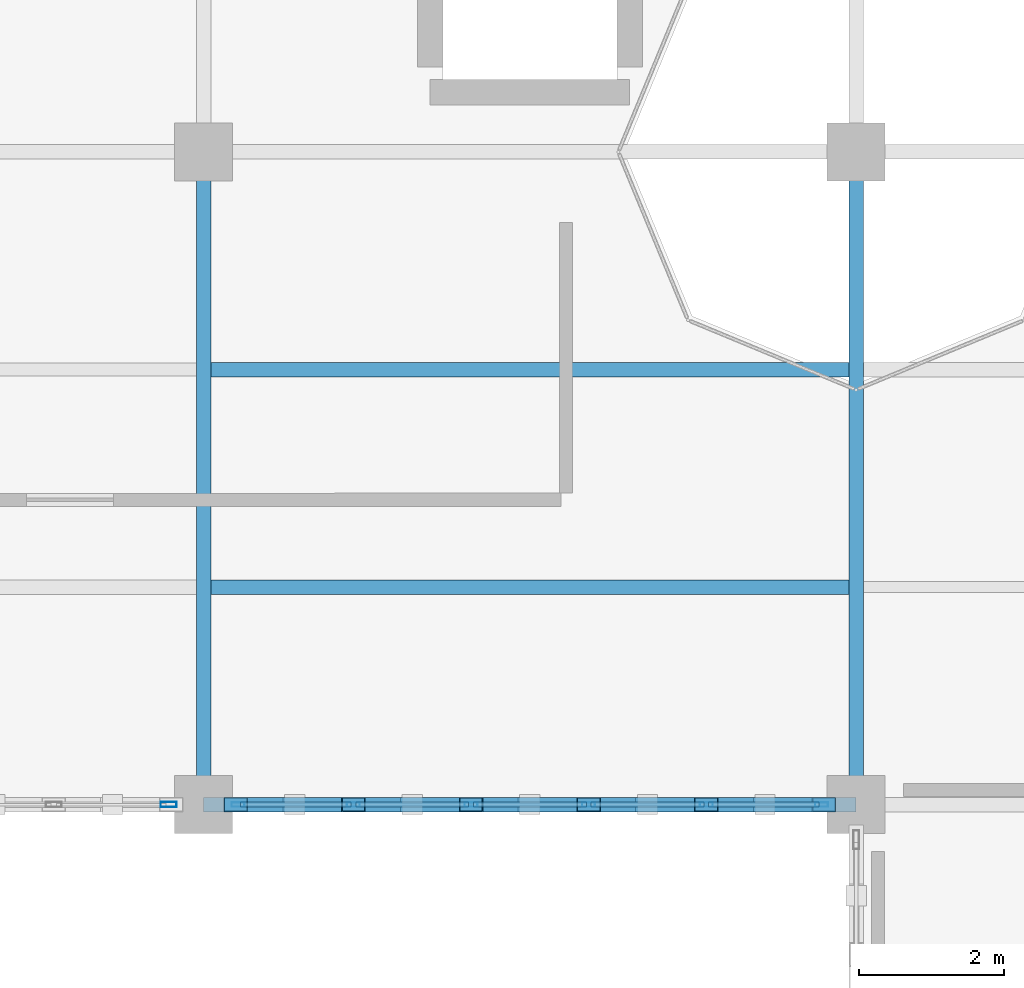
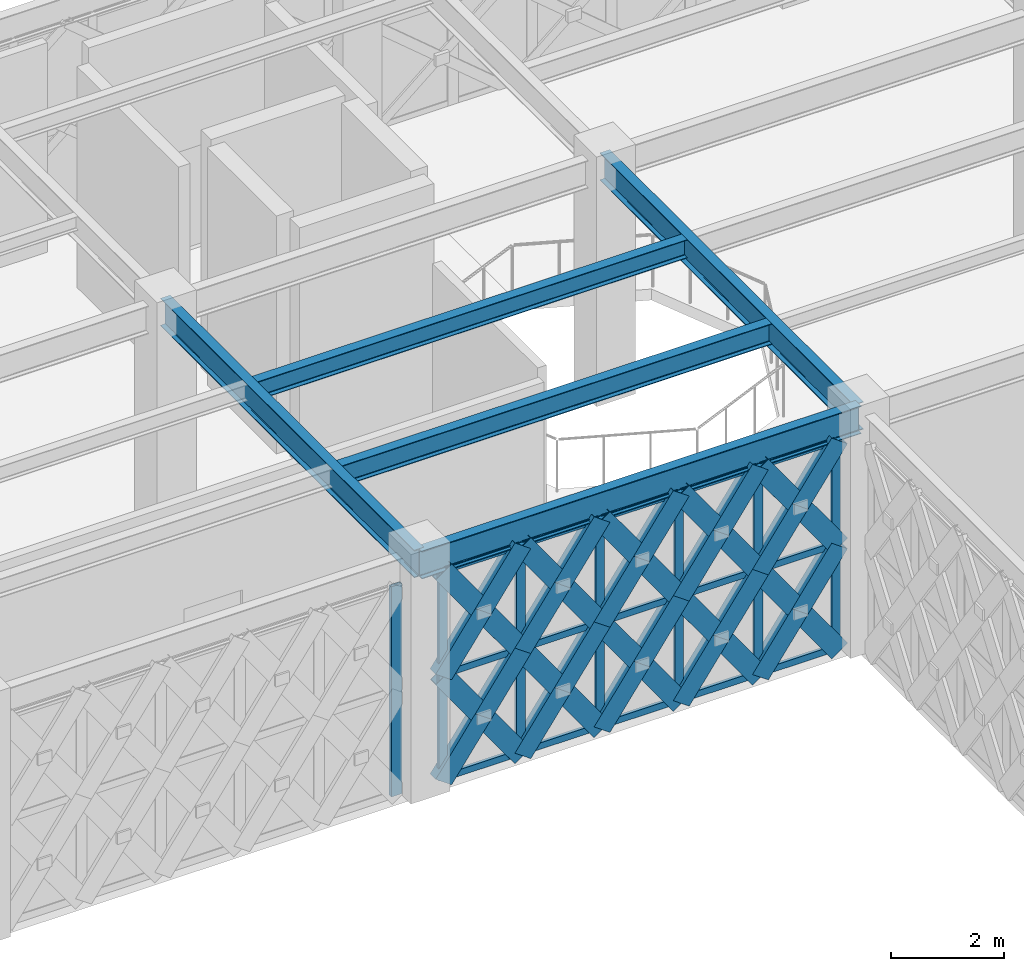
# One storey, part 8 of 86: 52 members, 5 beams, 2 elements without a shape of their own.
"""IFC4 building model written with IfcOpenShell, lengths in metres."""

import ifcopenshell
import ifcopenshell.guid

model = None  # the IFC model being written
_history = None  # IfcOwnerHistory: only IFC2X3 demands one
_inside = {}  # id of a spatial element -> (the spatial element, [elements in it])
_under = {}  # id of a project, library or spatial element -> (it, [spatial elements below it])
_declared = {}  # id of a project -> (the project, [libraries it declares])
_typed = {}  # id of a type object -> (the type object, [elements of that type])
_made_of = {}  # id of a material, layer set ... -> (it, [elements and type objects made of it])


def new_model(schema):
    """Start an empty IFC model of exactly this schema.

    Asked for "IFC4X3", IfcOpenShell would pick the latest addendum, in which some entities
    have other attributes; the version numbers below select the first issue.
    IFC2X3 requires an IfcOwnerHistory on every rooted entity: one is made here for all.
    """
    global model, _history
    if schema == "IFC4X3":
        model = ifcopenshell.file(schema_version=(4, 3, 0, 0))
    else:
        model = ifcopenshell.file(schema=schema)
    _inside.clear()
    _under.clear()
    _declared.clear()
    _typed.clear()
    _made_of.clear()
    _history = None
    if model.schema == "IFC2X3":
        org = make("IfcOrganization", Name="unknown")
        user = make(
            "IfcPersonAndOrganization",
            ThePerson=make("IfcPerson", FamilyName="unknown"),
            TheOrganization=org,
        )
        app = make(
            "IfcApplication",
            ApplicationDeveloper=org,
            Version="unknown",
            ApplicationFullName="unknown",
            ApplicationIdentifier="unknown",
        )
        _history = make(
            "IfcOwnerHistory",
            OwningUser=user,
            OwningApplication=app,
            ChangeAction="ADDED",
            CreationDate=0,
        )
    return model


def make(cls, **values):
    """One entity of the class cls with the attributes given. An attribute that is None is left unset."""
    return model.create_entity(
        cls, **{name: value for name, value in values.items() if value is not None}
    )


def rooted(cls, **values):
    """An entity with a GlobalId (a new one), such as an element, a storey or a relation."""
    return make(cls, GlobalId=ifcopenshell.guid.new(), OwnerHistory=_history, **values)


def si_unit(unit_type, name, prefix=None):
    """IfcSIUnit, for example si_unit("LENGTHUNIT", "METRE", prefix="MILLI")."""
    return make("IfcSIUnit", UnitType=unit_type, Prefix=prefix, Name=name)


def assignment(units):
    """IfcUnitAssignment: the units of a project."""
    return None if units is None else make("IfcUnitAssignment", Units=units)


def point(xyz):
    """IfcCartesianPoint."""
    return None if xyz is None else make("IfcCartesianPoint", Coordinates=xyz)


def direction(xyz):
    """IfcDirection."""
    return None if xyz is None else make("IfcDirection", DirectionRatios=xyz)


def frame(location, z_axis=None, x_axis=None):
    """IfcAxis2Placement3D, a coordinate frame: its origin and axes. An axis left out is left unset."""
    return make(
        "IfcAxis2Placement3D",
        Location=point(location),
        Axis=direction(z_axis),
        RefDirection=direction(x_axis),
    )


def frame_2d(location, x_axis=None):
    """IfcAxis2Placement2D, a coordinate frame in the plane: its origin and x axis."""
    return make(
        "IfcAxis2Placement2D", Location=point(location), RefDirection=direction(x_axis)
    )


def origin():
    """The frame at (0, 0, 0) with its axes left unset."""
    return frame((0.0, 0.0, 0.0))


def origin_2d():
    """The frame at (0, 0) in the plane with its x axis left unset."""
    return frame_2d((0.0, 0.0))


def place(relative_to, where):
    """IfcLocalPlacement: puts the frame where relative to a parent placement (None: the world)."""
    return make(
        "IfcLocalPlacement", PlacementRelTo=relative_to, RelativePlacement=where
    )


def context(
    kind, dimensions, precision=None, world=None, true_north=None, identifier=None
):
    """IfcGeometricRepresentationContext, for example the 3D "Model" context."""
    return make(
        "IfcGeometricRepresentationContext",
        ContextIdentifier=identifier,
        ContextType=kind,
        CoordinateSpaceDimension=dimensions,
        Precision=precision,
        WorldCoordinateSystem=world,
        TrueNorth=true_north,
    )


def subcontext(parent, identifier, kind, view, scale=None):
    """IfcGeometricRepresentationSubContext, for example "Body" below "Model"."""
    return make(
        "IfcGeometricRepresentationSubContext",
        ContextIdentifier=identifier,
        ContextType=kind,
        ParentContext=parent,
        TargetScale=scale,
        TargetView=view,
    )


def project(units=None, contexts=None):
    """IfcProject with its units and contexts."""
    return rooted(
        "IfcProject",
        Name="project",
        RepresentationContexts=contexts,
        UnitsInContext=assignment(units),
    )


def spatial(cls, under=None, at=None, **own):
    """A site, building, storey or space (cls), placed at a placement, below another one or the project."""
    s = rooted(cls, ObjectPlacement=at, **own)
    if under is not None:
        _under.setdefault(under.id(), (under, []))[1].append(s)
    return s


def profile(cls, at=None, kind="AREA", **sizes):
    """A parametric profile (cls). Its sizes go by their IFC names, for example OverallWidth=200.0."""
    return make(cls, ProfileType=kind, Position=at, **sizes)


def hollow_rectangle(**sizes):
    """IfcRectangleHollowProfileDef."""
    return profile("IfcRectangleHollowProfileDef", **sizes)


def i_section(**sizes):
    """IfcIShapeProfileDef."""
    return profile("IfcIShapeProfileDef", **sizes)


def extrude(swept, where, along, depth):
    """IfcExtrudedAreaSolid: the profile swept, set in the frame where, extruded along a direction by depth."""
    return make(
        "IfcExtrudedAreaSolid",
        SweptArea=swept,
        Position=where,
        ExtrudedDirection=direction(along),
        Depth=depth,
    )


def shape(context_of_items, identifier, shape_type, items):
    """IfcShapeRepresentation: the items that make up one representation, for example the "Body"."""
    return make(
        "IfcShapeRepresentation",
        ContextOfItems=context_of_items,
        RepresentationIdentifier=identifier,
        RepresentationType=shape_type,
        Items=items,
    )


def material(Name=None, Category=None):
    """IfcMaterial."""
    return make("IfcMaterial", Name=Name, Category=Category)


def material_profile(
    of_material, cross_section, Name=None, Category=None, Priority=None
):
    """IfcMaterialProfile: a cross section and its material."""
    return make(
        "IfcMaterialProfile",
        Name=Name,
        Material=of_material,
        Profile=cross_section,
        Priority=Priority,
        Category=Category,
    )


def profile_set(profiles, Name=None, composite=None):
    """IfcMaterialProfileSet."""
    return make(
        "IfcMaterialProfileSet",
        Name=Name,
        MaterialProfiles=profiles,
        CompositeProfile=composite,
    )


def made_of(thing, what):
    """Note that an element or type object is made of a material, layer set ...; save() writes the relation."""
    if what is not None:
        _made_of.setdefault(what.id(), (what, []))[1].append(thing)
    return thing


def type_object(cls, material=None, **own):
    """A type object (cls), such as IfcWallType, which elements share."""
    return made_of(rooted(cls, **own), material)


def element(
    cls,
    number,
    at=None,
    inside=None,
    cuts=None,
    type_object=None,
    material=None,
    context=None,
    identifier="Body",
    shape_type=None,
    held_by="IfcProductDefinitionShape",
    body=None,
    shapes=None,
    **own,
):
    """One element of the class cls, such as IfcWall. Its Tag is "e" and its number.

    at: its placement. inside: the storey or other place that contains it. cuts: it is an
    opening in that element (IfcRelVoidsElement). A single representation is given by context,
    identifier, shape_type and body (its items); several are given by shapes. held_by: the class
    of the entity that holds the representations. save() writes the other relations.
    """
    e = rooted(cls, Tag="e%d" % number, ObjectPlacement=at, **own)
    if body is not None:
        shapes = [shape(context, identifier, shape_type, body)]
    if shapes is not None:
        e.Representation = make(held_by, Representations=shapes)
    if inside is not None:
        _inside.setdefault(inside.id(), (inside, []))[1].append(e)
    if cuts is not None:
        rooted(
            "IfcRelVoidsElement", RelatingBuildingElement=cuts, RelatedOpeningElement=e
        )
    if type_object is not None:
        _typed.setdefault(type_object.id(), (type_object, []))[1].append(e)
    return made_of(e, material)


def aggregate(whole, parts):
    """IfcRelAggregates: a whole, such as a stair, and the parts it consists of."""
    return rooted("IfcRelAggregates", RelatingObject=whole, RelatedObjects=parts)


def save(model, path):
    """Write the relations noted so far, then the file.

    IfcRelAggregates (storeys below a building ...), IfcRelContainedInSpatialStructure (elements
    in a storey), IfcRelDefinesByType, IfcRelAssociatesMaterial and IfcRelDeclares: one each for
    every whole, place, type object, material and project.
    """
    for whole, parts in _under.values():
        aggregate(whole, parts)
    for where, things in _inside.values():
        rooted(
            "IfcRelContainedInSpatialStructure",
            RelatedElements=things,
            RelatingStructure=where,
        )
    for kind, things in _typed.values():
        rooted("IfcRelDefinesByType", RelatedObjects=things, RelatingType=kind)
    for what, things in _made_of.values():
        rooted("IfcRelAssociatesMaterial", RelatedObjects=things, RelatingMaterial=what)
    for by, libraries in _declared.values():
        rooted("IfcRelDeclares", RelatingContext=by, RelatedDefinitions=libraries)
    model.write(path)


model = new_model("IFC4")

# Units and contexts
model_context = context("Model", 3, precision=1e-05, world=origin(), true_north=direction((0.0, 1.0)))
body_context = subcontext(model_context, "Body", "Model", "MODEL_VIEW")
ifc_project = project(units=[si_unit("LENGTHUNIT", "METRE"), si_unit("AREAUNIT", "SQUARE_METRE"), si_unit("VOLUMEUNIT", "CUBIC_METRE"), si_unit("PLANEANGLEUNIT", "RADIAN"), si_unit("MASSUNIT", "GRAM", prefix="KILO")], contexts=[model_context])

# Site, building, storey
site_placement = place(None, origin())
site = spatial("IfcSite", under=ifc_project, at=site_placement, CompositionType="ELEMENT")
building_placement = place(site_placement, origin())
building = spatial("IfcBuilding", under=site, at=building_placement, Name="Haizhuo Lancet Aquarium", CompositionType="ELEMENT")
storey_placement = place(building_placement, frame((0.0, 0.0, 16.199951171875)))
storey = spatial("IfcBuildingStorey", under=building, at=storey_placement, Name="L03", CompositionType="ELEMENT", Elevation=16.199951171875)

# Beams
ifc_material_1 = material(Name="Steel S355", Category="steel")
ifc_material_profile_1 = material_profile(ifc_material_1, i_section(OverallWidth=0.199951171875, OverallDepth=0.60009765625, WebThickness=0.010986328125, FlangeThickness=0.01708984375, FilletRadius=0.02197265625, at=origin_2d()), Name="HN 600x200x11x17")
ifc_profile_set_1 = profile_set([ifc_material_profile_1], Name="Steel S355")
beam_type_1 = type_object("IfcBeamType", Name="BM-ST-HN600", PredefinedType="BEAM", material=ifc_profile_set_1)
for number, where, z_axis, x_axis, name in (
    (1, (-63.0, -27.0, 4.85009765625), (0.0, 1.0, 0.0), (-1.0, 0.0, 0.0), "L03 V6 primary girder BM-L03-V6-009"),
    (2, (-63.0, -27.0, 4.85009765625), (1.0, 0.0, 0.0), (0.0, 1.0, 0.0), "L03 V6 primary girder BM-L03-V6-010"),
    (3, (-54.0, -27.0, 4.85009765625), (0.0, 1.0, 0.0), (-1.0, 0.0, 0.0), "L03 V6 primary girder BM-L03-V6-016"),
):
    element("IfcBeam", number, at=place(storey_placement, frame(where, z_axis=z_axis, x_axis=x_axis)), inside=storey, type_object=beam_type_1, Name=name, PredefinedType="BEAM", context=body_context, shape_type="SweptSolid", body=[
        extrude(i_section(OverallWidth=0.199951171875, OverallDepth=0.60009765625, WebThickness=0.010986328125, FlangeThickness=0.01708984375, FilletRadius=0.02197265625, at=origin_2d()), origin(), (0.0, 0.0, 1.0), 9.0),
    ])

# Curtain wall, members
ifc_material_2 = material(Name="Aluminium 6063-T6", Category="aluminium")
curtain_wall_type = type_object("IfcCurtainWallType", Name="CWD-8110x4550", PredefinedType="NOTDEFINED", material=ifc_material_2)
curtain_wall_1_placement = place(storey_placement, origin())
curtain_wall_1 = element("IfcCurtainWall", 4, at=curtain_wall_1_placement, inside=storey, type_object=curtain_wall_type, Name="L03 curtain wall CW-V6-L03-241", PredefinedType="NOTDEFINED")
ifc_material_profile_2 = material_profile(ifc_material_2, hollow_rectangle(XDim=0.06494140625, YDim=0.179931640625, WallThickness=0.00390625, at=origin_2d()), Name="ALU-M 65x180x4")
ifc_profile_set_2 = profile_set([ifc_material_profile_2], Name="Aluminium 6063-T6")
member_type_1 = type_object("IfcMemberType", Name="CW-MUL-1", PredefinedType="MULLION", material=ifc_profile_set_2)
member_1_placement = place(storey_placement, frame((-54.47705078125, -27.0, 0.0), z_axis=(0.0, 0.0, 1.0), x_axis=(0.0, -1.0, 0.0)))
member_1 = element("IfcMember", 5, at=member_1_placement, type_object=member_type_1, Name="CWD-81x45 mullion 1", PredefinedType="MULLION", context=body_context, shape_type="SweptSolid", body=[
    extrude(hollow_rectangle(XDim=0.06494140625, YDim=0.179931640625, WallThickness=0.00390625, at=origin_2d()), origin(), (0.0, 0.0, 1.0), 4.550048828125),
])
member_2_placement = place(storey_placement, frame((-56.06689453125, -27.0, 0.0), z_axis=(0.0, 0.0, 1.0), x_axis=(0.0, -1.0, 0.0)))
member_2 = element("IfcMember", 6, at=member_2_placement, type_object=member_type_1, Name="CWD-81x45 mullion 2", PredefinedType="MULLION", context=body_context, shape_type="SweptSolid", body=[
    extrude(hollow_rectangle(XDim=0.06494140625, YDim=0.179931640625, WallThickness=0.00390625, at=origin_2d()), origin(), (0.0, 0.0, 1.0), 4.550048828125),
])
member_3_placement = place(storey_placement, frame((-57.68896484375, -27.0, 0.0), z_axis=(0.0, 0.0, 1.0), x_axis=(0.0, -1.0, 0.0)))
member_3 = element("IfcMember", 7, at=member_3_placement, type_object=member_type_1, Name="CWD-81x45 mullion 3", PredefinedType="MULLION", context=body_context, shape_type="SweptSolid", body=[
    extrude(hollow_rectangle(XDim=0.06494140625, YDim=0.179931640625, WallThickness=0.00390625, at=origin_2d()), origin(), (0.0, 0.0, 1.0), 4.550048828125),
])
member_4_placement = place(storey_placement, frame((-59.31103515625, -27.0, 0.0), z_axis=(0.0, 0.0, 1.0), x_axis=(0.0, -1.0, 0.0)))
member_4 = element("IfcMember", 8, at=member_4_placement, type_object=member_type_1, Name="CWD-81x45 mullion 4", PredefinedType="MULLION", context=body_context, shape_type="SweptSolid", body=[
    extrude(hollow_rectangle(XDim=0.06494140625, YDim=0.179931640625, WallThickness=0.00390625, at=origin_2d()), origin(), (0.0, 0.0, 1.0), 4.550048828125),
])
member_5_placement = place(storey_placement, frame((-60.93310546875, -27.0, 0.0), z_axis=(0.0, 0.0, 1.0), x_axis=(0.0, -1.0, 0.0)))
member_5 = element("IfcMember", 9, at=member_5_placement, type_object=member_type_1, Name="CWD-81x45 mullion 5", PredefinedType="MULLION", context=body_context, shape_type="SweptSolid", body=[
    extrude(hollow_rectangle(XDim=0.06494140625, YDim=0.179931640625, WallThickness=0.00390625, at=origin_2d()), origin(), (0.0, 0.0, 1.0), 4.550048828125),
])
member_6_placement = place(storey_placement, frame((-62.52294921875, -27.0, 0.0), z_axis=(0.0, 0.0, 1.0), x_axis=(0.0, -1.0, 0.0)))
member_6 = element("IfcMember", 10, at=member_6_placement, type_object=member_type_1, Name="CWD-81x45 mullion 6", PredefinedType="MULLION", context=body_context, shape_type="SweptSolid", body=[
    extrude(hollow_rectangle(XDim=0.06494140625, YDim=0.179931640625, WallThickness=0.00390625, at=origin_2d()), origin(), (0.0, 0.0, 1.0), 4.550048828125),
])

# Curtain wall, member
curtain_wall_2_placement = place(storey_placement, origin())
curtain_wall_2 = element("IfcCurtainWall", 11, at=curtain_wall_2_placement, inside=storey, type_object=curtain_wall_type, Name="L03 curtain wall CW-V6-L03-242", PredefinedType="NOTDEFINED")
ifc_material_profile_3 = material_profile(ifc_material_2, hollow_rectangle(XDim=0.074951171875, YDim=0.219970703125, WallThickness=0.0048828125, at=origin_2d()), Name="ALU-M 75x220x5")
ifc_profile_set_3 = profile_set([ifc_material_profile_3], Name="Aluminium 6063-T6")
member_type_2 = type_object("IfcMemberType", Name="CW-MUL-2", PredefinedType="MULLION", material=ifc_profile_set_3)
member_7_placement = place(storey_placement, frame((-63.48291015625, -27.0, 0.0), z_axis=(0.0, 0.0, 1.0), x_axis=(0.0, -1.0, 0.0)))
member_7 = element("IfcMember", 12, at=member_7_placement, type_object=member_type_2, Name="CWD-81x45 mullion 1", PredefinedType="MULLION", context=body_context, shape_type="SweptSolid", body=[
    extrude(hollow_rectangle(XDim=0.074951171875, YDim=0.219970703125, WallThickness=0.0048828125, at=origin_2d()), origin(), (0.0, 0.0, 1.0), 4.550048828125),
])
aggregate(curtain_wall_2, [member_7])

# Member
ifc_material_profile_4 = material_profile(ifc_material_2, hollow_rectangle(XDim=0.06494140625, YDim=0.139892578125, WallThickness=0.00390625, at=origin_2d()), Name="ALU-T 65x140x4")
ifc_profile_set_4 = profile_set([ifc_material_profile_4], Name="Aluminium 6063-T6")
member_type_3 = type_object("IfcMemberType", Name="CW-TRN-1", PredefinedType="NOTDEFINED", material=ifc_profile_set_4)
member_8_placement = place(storey_placement, frame((-54.510009765625, -27.0, 0.031982421875), z_axis=(-1.0, 0.0, 0.0), x_axis=(0.0, -1.0, 0.0)))
member_8 = element("IfcMember", 13, at=member_8_placement, type_object=member_type_3, Name="CWD-81x45 transom 1.1", ObjectType="TRANSOM", PredefinedType="USERDEFINED", context=body_context, shape_type="SweptSolid", body=[
    extrude(hollow_rectangle(XDim=0.06494140625, YDim=0.139892578125, WallThickness=0.00390625, at=origin_2d()), origin(), (0.0, 0.0, 1.0), 1.52490234375),
])

member_9_placement = place(storey_placement, frame((-54.510009765625, -27.0, 2.275146484375), z_axis=(-1.0, 0.0, 0.0), x_axis=(0.0, -1.0, 0.0)))
member_9 = element("IfcMember", 14, at=member_9_placement, type_object=member_type_3, Name="CWD-81x45 transom 1.2", ObjectType="TRANSOM", PredefinedType="USERDEFINED", context=body_context, shape_type="SweptSolid", body=[
    extrude(hollow_rectangle(XDim=0.06494140625, YDim=0.139892578125, WallThickness=0.00390625, at=origin_2d()), origin(), (0.0, 0.0, 1.0), 1.52490234375),
])

member_10_placement = place(storey_placement, frame((-54.510009765625, -27.0, 4.51806640625), z_axis=(-1.0, 0.0, 0.0), x_axis=(0.0, -1.0, 0.0)))
member_10 = element("IfcMember", 15, at=member_10_placement, type_object=member_type_3, Name="CWD-81x45 transom 1.3", ObjectType="TRANSOM", PredefinedType="USERDEFINED", context=body_context, shape_type="SweptSolid", body=[
    extrude(hollow_rectangle(XDim=0.06494140625, YDim=0.139892578125, WallThickness=0.00390625, at=origin_2d()), origin(), (0.0, 0.0, 1.0), 1.52490234375),
])

member_11_placement = place(storey_placement, frame((-56.09912109375, -27.0, 0.031982421875), z_axis=(-1.0, 0.0, 0.0), x_axis=(0.0, -1.0, 0.0)))
member_11 = element("IfcMember", 16, at=member_11_placement, type_object=member_type_3, Name="CWD-81x45 transom 2.1", ObjectType="TRANSOM", PredefinedType="USERDEFINED", context=body_context, shape_type="SweptSolid", body=[
    extrude(hollow_rectangle(XDim=0.06494140625, YDim=0.139892578125, WallThickness=0.00390625, at=origin_2d()), origin(), (0.0, 0.0, 1.0), 1.557861328125),
])

member_12_placement = place(storey_placement, frame((-56.09912109375, -27.0, 2.275146484375), z_axis=(-1.0, 0.0, 0.0), x_axis=(0.0, -1.0, 0.0)))
member_12 = element("IfcMember", 17, at=member_12_placement, type_object=member_type_3, Name="CWD-81x45 transom 2.2", ObjectType="TRANSOM", PredefinedType="USERDEFINED", context=body_context, shape_type="SweptSolid", body=[
    extrude(hollow_rectangle(XDim=0.06494140625, YDim=0.139892578125, WallThickness=0.00390625, at=origin_2d()), origin(), (0.0, 0.0, 1.0), 1.557861328125),
])

member_13_placement = place(storey_placement, frame((-56.09912109375, -27.0, 4.51806640625), z_axis=(-1.0, 0.0, 0.0), x_axis=(0.0, -1.0, 0.0)))
member_13 = element("IfcMember", 18, at=member_13_placement, type_object=member_type_3, Name="CWD-81x45 transom 2.3", ObjectType="TRANSOM", PredefinedType="USERDEFINED", context=body_context, shape_type="SweptSolid", body=[
    extrude(hollow_rectangle(XDim=0.06494140625, YDim=0.139892578125, WallThickness=0.00390625, at=origin_2d()), origin(), (0.0, 0.0, 1.0), 1.557861328125),
])

member_14_placement = place(storey_placement, frame((-57.720947265625, -27.0, 0.031982421875), z_axis=(-1.0, 0.0, 0.0), x_axis=(0.0, -1.0, 0.0)))
member_14 = element("IfcMember", 19, at=member_14_placement, type_object=member_type_3, Name="CWD-81x45 transom 3.1", ObjectType="TRANSOM", PredefinedType="USERDEFINED", context=body_context, shape_type="SweptSolid", body=[
    extrude(hollow_rectangle(XDim=0.06494140625, YDim=0.139892578125, WallThickness=0.00390625, at=origin_2d()), origin(), (0.0, 0.0, 1.0), 1.55810546875),
])

member_15_placement = place(storey_placement, frame((-57.720947265625, -27.0, 2.275146484375), z_axis=(-1.0, 0.0, 0.0), x_axis=(0.0, -1.0, 0.0)))
member_15 = element("IfcMember", 20, at=member_15_placement, type_object=member_type_3, Name="CWD-81x45 transom 3.2", ObjectType="TRANSOM", PredefinedType="USERDEFINED", context=body_context, shape_type="SweptSolid", body=[
    extrude(hollow_rectangle(XDim=0.06494140625, YDim=0.139892578125, WallThickness=0.00390625, at=origin_2d()), origin(), (0.0, 0.0, 1.0), 1.55810546875),
])

member_16_placement = place(storey_placement, frame((-57.720947265625, -27.0, 4.51806640625), z_axis=(-1.0, 0.0, 0.0), x_axis=(0.0, -1.0, 0.0)))
member_16 = element("IfcMember", 21, at=member_16_placement, type_object=member_type_3, Name="CWD-81x45 transom 3.3", ObjectType="TRANSOM", PredefinedType="USERDEFINED", context=body_context, shape_type="SweptSolid", body=[
    extrude(hollow_rectangle(XDim=0.06494140625, YDim=0.139892578125, WallThickness=0.00390625, at=origin_2d()), origin(), (0.0, 0.0, 1.0), 1.55810546875),
])

member_17_placement = place(storey_placement, frame((-59.343017578125, -27.0, 0.031982421875), z_axis=(-1.0, 0.0, 0.0), x_axis=(0.0, -1.0, 0.0)))
member_17 = element("IfcMember", 22, at=member_17_placement, type_object=member_type_3, Name="CWD-81x45 transom 4.1", ObjectType="TRANSOM", PredefinedType="USERDEFINED", context=body_context, shape_type="SweptSolid", body=[
    extrude(hollow_rectangle(XDim=0.06494140625, YDim=0.139892578125, WallThickness=0.00390625, at=origin_2d()), origin(), (0.0, 0.0, 1.0), 1.557861328125),
])

member_18_placement = place(storey_placement, frame((-59.343017578125, -27.0, 2.275146484375), z_axis=(-1.0, 0.0, 0.0), x_axis=(0.0, -1.0, 0.0)))
member_18 = element("IfcMember", 23, at=member_18_placement, type_object=member_type_3, Name="CWD-81x45 transom 4.2", ObjectType="TRANSOM", PredefinedType="USERDEFINED", context=body_context, shape_type="SweptSolid", body=[
    extrude(hollow_rectangle(XDim=0.06494140625, YDim=0.139892578125, WallThickness=0.00390625, at=origin_2d()), origin(), (0.0, 0.0, 1.0), 1.557861328125),
])

member_19_placement = place(storey_placement, frame((-59.343017578125, -27.0, 4.51806640625), z_axis=(-1.0, 0.0, 0.0), x_axis=(0.0, -1.0, 0.0)))
member_19 = element("IfcMember", 24, at=member_19_placement, type_object=member_type_3, Name="CWD-81x45 transom 4.3", ObjectType="TRANSOM", PredefinedType="USERDEFINED", context=body_context, shape_type="SweptSolid", body=[
    extrude(hollow_rectangle(XDim=0.06494140625, YDim=0.139892578125, WallThickness=0.00390625, at=origin_2d()), origin(), (0.0, 0.0, 1.0), 1.557861328125),
])

member_20_placement = place(storey_placement, frame((-60.965087890625, -27.0, 0.031982421875), z_axis=(-1.0, 0.0, 0.0), x_axis=(0.0, -1.0, 0.0)))
member_20 = element("IfcMember", 25, at=member_20_placement, type_object=member_type_3, Name="CWD-81x45 transom 5.1", ObjectType="TRANSOM", PredefinedType="USERDEFINED", context=body_context, shape_type="SweptSolid", body=[
    extrude(hollow_rectangle(XDim=0.06494140625, YDim=0.139892578125, WallThickness=0.00390625, at=origin_2d()), origin(), (0.0, 0.0, 1.0), 1.52490234375),
])

member_21_placement = place(storey_placement, frame((-60.965087890625, -27.0, 2.275146484375), z_axis=(-1.0, 0.0, 0.0), x_axis=(0.0, -1.0, 0.0)))
member_21 = element("IfcMember", 26, at=member_21_placement, type_object=member_type_3, Name="CWD-81x45 transom 5.2", ObjectType="TRANSOM", PredefinedType="USERDEFINED", context=body_context, shape_type="SweptSolid", body=[
    extrude(hollow_rectangle(XDim=0.06494140625, YDim=0.139892578125, WallThickness=0.00390625, at=origin_2d()), origin(), (0.0, 0.0, 1.0), 1.52490234375),
])

member_22_placement = place(storey_placement, frame((-60.965087890625, -27.0, 4.51806640625), z_axis=(-1.0, 0.0, 0.0), x_axis=(0.0, -1.0, 0.0)))
member_22 = element("IfcMember", 27, at=member_22_placement, type_object=member_type_3, Name="CWD-81x45 transom 5.3", ObjectType="TRANSOM", PredefinedType="USERDEFINED", context=body_context, shape_type="SweptSolid", body=[
    extrude(hollow_rectangle(XDim=0.06494140625, YDim=0.139892578125, WallThickness=0.00390625, at=origin_2d()), origin(), (0.0, 0.0, 1.0), 1.52490234375),
])

aggregate(curtain_wall_1, [member_1, member_2, member_3, member_4, member_5, member_6, member_8, member_9, member_10, member_11, member_12, member_13, member_14, member_15, member_16, member_17, member_18, member_19, member_20, member_21, member_22])

# Beams
ifc_material_profile_5 = material_profile(ifc_material_1, i_section(OverallWidth=0.199951171875, OverallDepth=0.39990234375, WebThickness=0.008056640625, FlangeThickness=0.012939453125, FilletRadius=0.01611328125, at=origin_2d()), Name="HN 400x200x8x13")
ifc_profile_set_5 = profile_set([ifc_material_profile_5], Name="Steel S355")
beam_type_2 = type_object("IfcBeamType", Name="JST-ST-HN400", PredefinedType="JOIST", material=ifc_profile_set_5)
beam_1_placement = place(storey_placement, frame((-62.89990234375, -21.0, 4.949951171875), z_axis=(1.0, 0.0, 0.0), x_axis=(0.0, 1.0, 0.0)))
element("IfcBeam", 28, at=beam_1_placement, inside=storey, type_object=beam_type_2, Name="L03 V6 secondary floor joist 8", PredefinedType="JOIST", context=body_context, shape_type="SweptSolid", body=[
    extrude(i_section(OverallWidth=0.199951171875, OverallDepth=0.39990234375, WebThickness=0.008056640625, FlangeThickness=0.012939453125, FilletRadius=0.01611328125, at=origin_2d()), origin(), (0.0, 0.0, 1.0), 8.7998046875),
])
ifc_material_profile_6 = material_profile(ifc_material_1, i_section(OverallWidth=0.199951171875, OverallDepth=0.449951171875, WebThickness=0.009033203125, FlangeThickness=0.013916015625, FilletRadius=0.01806640625, at=origin_2d()), Name="HN 450x200x9x14")
ifc_profile_set_6 = profile_set([ifc_material_profile_6], Name="Steel S355")
beam_type_3 = type_object("IfcBeamType", Name="JST-ST-HN450", PredefinedType="JOIST", material=ifc_profile_set_6)
beam_2_placement = place(storey_placement, frame((-62.89990234375, -24.0, 4.925048828125), z_axis=(1.0, 0.0, 0.0), x_axis=(0.0, 1.0, 0.0)))
element("IfcBeam", 29, at=beam_2_placement, inside=storey, type_object=beam_type_3, Name="L03 V6 secondary floor joist 7", PredefinedType="JOIST", context=body_context, shape_type="SweptSolid", body=[
    extrude(i_section(OverallWidth=0.199951171875, OverallDepth=0.449951171875, WebThickness=0.009033203125, FlangeThickness=0.013916015625, FilletRadius=0.01806640625, at=origin_2d()), origin(), (0.0, 0.0, 1.0), 8.7998046875),
])

# Members
ifc_material_profile_7 = material_profile(ifc_material_1, hollow_rectangle(XDim=0.199951171875, YDim=0.39990234375, WallThickness=0.011962890625, at=origin_2d()), Name="RHS 200x400x12")
ifc_profile_set_7 = profile_set([ifc_material_profile_7], Name="Steel S355")
member_type_4 = type_object("IfcMemberType", Name="MEM-LB-RHS200x400", PredefinedType="BRACE", material=ifc_profile_set_7)
member_23_placement = place(storey_placement, frame((-54.445068359375, -27.0, 0.0), z_axis=(-0.580460961116, 0.0, 0.81428807717), x_axis=(0.0, -1.0, 0.0)))
element("IfcMember", 30, at=member_23_placement, inside=storey, type_object=member_type_4, Name="Gothic lancet continuous diagonal brace CW-V6-L03-241 1A", PredefinedType="BRACE", context=body_context, shape_type="SweptSolid", body=[
    extrude(hollow_rectangle(XDim=0.199951171875, YDim=0.39990234375, WallThickness=0.011962890625, at=origin_2d()), origin(), (0.0, 0.0, 1.0), 2.7939453125),
])
member_24_placement = place(storey_placement, frame((-56.06689453125, -27.0, 0.0), z_axis=(0.580609578331, 0.0, 0.814182115715), x_axis=(0.0, 1.0, 0.0)))
element("IfcMember", 31, at=member_24_placement, inside=storey, type_object=member_type_4, Name="Gothic lancet split diagonal brace CW-V6-L03-241 1B1", PredefinedType="BRACE", context=body_context, shape_type="SweptSolid", body=[
    extrude(hollow_rectangle(XDim=0.199951171875, YDim=0.39990234375, WallThickness=0.011962890625, at=origin_2d()), origin(), (0.0, 0.0, 1.0), 1.396484375),
])
member_25_placement = place(storey_placement, frame((-55.256103515625, -27.0, 1.136962890625), z_axis=(0.580312445357, 0.0, 0.814393925422), x_axis=(0.0, 1.0, 0.0)))
element("IfcMember", 32, at=member_25_placement, inside=storey, type_object=member_type_4, Name="Gothic lancet split diagonal brace CW-V6-L03-241 1B2", PredefinedType="BRACE", context=body_context, shape_type="SweptSolid", body=[
    extrude(hollow_rectangle(XDim=0.199951171875, YDim=0.39990234375, WallThickness=0.011962890625, at=origin_2d()), origin(), (0.0, 0.0, 1.0), 1.397705078125),
])
member_26_placement = place(storey_placement, frame((-54.445068359375, -27.0, 2.275146484375), z_axis=(-0.58050226424, 0.0, 0.814258632875), x_axis=(0.0, -1.0, 0.0)))
element("IfcMember", 33, at=member_26_placement, inside=storey, type_object=member_type_4, Name="Gothic lancet continuous diagonal brace CW-V6-L03-241 2A", PredefinedType="BRACE", context=body_context, shape_type="SweptSolid", body=[
    extrude(hollow_rectangle(XDim=0.199951171875, YDim=0.39990234375, WallThickness=0.011962890625, at=origin_2d()), origin(), (0.0, 0.0, 1.0), 2.7939453125),
])
member_27_placement = place(storey_placement, frame((-56.06689453125, -27.0, 2.275146484375), z_axis=(0.580279135253, 0.0, 0.814417660166), x_axis=(0.0, 1.0, 0.0)))
element("IfcMember", 34, at=member_27_placement, inside=storey, type_object=member_type_4, Name="Gothic lancet split diagonal brace CW-V6-L03-241 2B1", PredefinedType="BRACE", context=body_context, shape_type="SweptSolid", body=[
    extrude(hollow_rectangle(XDim=0.199951171875, YDim=0.39990234375, WallThickness=0.011962890625, at=origin_2d()), origin(), (0.0, 0.0, 1.0), 1.397216796875),
])
member_28_placement = place(storey_placement, frame((-55.256103515625, -27.0, 3.4130859375), z_axis=(0.580725454015, 0.0, 0.814099470003), x_axis=(0.0, 1.0, 0.0)))
element("IfcMember", 35, at=member_28_placement, inside=storey, type_object=member_type_4, Name="Gothic lancet split diagonal brace CW-V6-L03-241 2B2", PredefinedType="BRACE", context=body_context, shape_type="SweptSolid", body=[
    extrude(hollow_rectangle(XDim=0.199951171875, YDim=0.39990234375, WallThickness=0.011962890625, at=origin_2d()), origin(), (0.0, 0.0, 1.0), 1.396484375),
])
member_29_placement = place(storey_placement, frame((-56.06689453125, -27.0, 0.0), z_axis=(-0.580518894897, 0.0, 0.814246776271), x_axis=(0.0, -1.0, 0.0)))
element("IfcMember", 36, at=member_29_placement, inside=storey, type_object=member_type_4, Name="Gothic lancet continuous diagonal brace CW-V6-L03-241 3A", PredefinedType="BRACE", context=body_context, shape_type="SweptSolid", body=[
    extrude(hollow_rectangle(XDim=0.199951171875, YDim=0.39990234375, WallThickness=0.011962890625, at=origin_2d()), origin(), (0.0, 0.0, 1.0), 2.794189453125),
])
member_30_placement = place(storey_placement, frame((-57.68896484375, -27.0, 0.0), z_axis=(0.580725454015, 0.0, 0.814099470003), x_axis=(0.0, 1.0, 0.0)))
element("IfcMember", 37, at=member_30_placement, inside=storey, type_object=member_type_4, Name="Gothic lancet split diagonal brace CW-V6-L03-241 3B1", PredefinedType="BRACE", context=body_context, shape_type="SweptSolid", body=[
    extrude(hollow_rectangle(XDim=0.199951171875, YDim=0.39990234375, WallThickness=0.011962890625, at=origin_2d()), origin(), (0.0, 0.0, 1.0), 1.396484375),
])
member_31_placement = place(storey_placement, frame((-56.8779296875, -27.0, 1.136962890625), z_axis=(0.580312445357, 0.0, 0.814393925422), x_axis=(0.0, 1.0, 0.0)))
element("IfcMember", 38, at=member_31_placement, inside=storey, type_object=member_type_4, Name="Gothic lancet split diagonal brace CW-V6-L03-241 3B2", PredefinedType="BRACE", context=body_context, shape_type="SweptSolid", body=[
    extrude(hollow_rectangle(XDim=0.199951171875, YDim=0.39990234375, WallThickness=0.011962890625, at=origin_2d()), origin(), (0.0, 0.0, 1.0), 1.397705078125),
])
member_32_placement = place(storey_placement, frame((-56.06689453125, -27.0, 2.275146484375), z_axis=(-0.580560197953, 0.0, 0.814217327593), x_axis=(0.0, -1.0, 0.0)))
element("IfcMember", 39, at=member_32_placement, inside=storey, type_object=member_type_4, Name="Gothic lancet continuous diagonal brace CW-V6-L03-241 4A", PredefinedType="BRACE", context=body_context, shape_type="SweptSolid", body=[
    extrude(hollow_rectangle(XDim=0.199951171875, YDim=0.39990234375, WallThickness=0.011962890625, at=origin_2d()), origin(), (0.0, 0.0, 1.0), 2.7939453125),
])
member_33_placement = place(storey_placement, frame((-57.68896484375, -27.0, 2.275146484375), z_axis=(0.580395012026, 0.0, 0.814335084603), x_axis=(0.0, 1.0, 0.0)))
element("IfcMember", 40, at=member_33_placement, inside=storey, type_object=member_type_4, Name="Gothic lancet split diagonal brace CW-V6-L03-241 4B1", PredefinedType="BRACE", context=body_context, shape_type="SweptSolid", body=[
    extrude(hollow_rectangle(XDim=0.199951171875, YDim=0.39990234375, WallThickness=0.011962890625, at=origin_2d()), origin(), (0.0, 0.0, 1.0), 1.3974609375),
])
member_34_placement = place(storey_placement, frame((-56.8779296875, -27.0, 3.4130859375), z_axis=(0.580725454015, 0.0, 0.814099470003), x_axis=(0.0, 1.0, 0.0)))
element("IfcMember", 41, at=member_34_placement, inside=storey, type_object=member_type_4, Name="Gothic lancet split diagonal brace CW-V6-L03-241 4B2", PredefinedType="BRACE", context=body_context, shape_type="SweptSolid", body=[
    extrude(hollow_rectangle(XDim=0.199951171875, YDim=0.39990234375, WallThickness=0.011962890625, at=origin_2d()), origin(), (0.0, 0.0, 1.0), 1.396484375),
])
member_35_placement = place(storey_placement, frame((-57.68896484375, -27.0, 0.0), z_axis=(-0.580518894897, 0.0, 0.814246776271), x_axis=(0.0, -1.0, 0.0)))
element("IfcMember", 42, at=member_35_placement, inside=storey, type_object=member_type_4, Name="Gothic lancet continuous diagonal brace CW-V6-L03-241 5A", PredefinedType="BRACE", context=body_context, shape_type="SweptSolid", body=[
    extrude(hollow_rectangle(XDim=0.199951171875, YDim=0.39990234375, WallThickness=0.011962890625, at=origin_2d()), origin(), (0.0, 0.0, 1.0), 2.794189453125),
])
member_36_placement = place(storey_placement, frame((-59.31103515625, -27.0, 0.0), z_axis=(0.580725454015, 0.0, 0.814099470003), x_axis=(0.0, 1.0, 0.0)))
element("IfcMember", 43, at=member_36_placement, inside=storey, type_object=member_type_4, Name="Gothic lancet split diagonal brace CW-V6-L03-241 5B1", PredefinedType="BRACE", context=body_context, shape_type="SweptSolid", body=[
    extrude(hollow_rectangle(XDim=0.199951171875, YDim=0.39990234375, WallThickness=0.011962890625, at=origin_2d()), origin(), (0.0, 0.0, 1.0), 1.396484375),
])
member_37_placement = place(storey_placement, frame((-58.5, -27.0, 1.136962890625), z_axis=(0.580312445357, 0.0, 0.814393925422), x_axis=(0.0, 1.0, 0.0)))
element("IfcMember", 44, at=member_37_placement, inside=storey, type_object=member_type_4, Name="Gothic lancet split diagonal brace CW-V6-L03-241 5B2", PredefinedType="BRACE", context=body_context, shape_type="SweptSolid", body=[
    extrude(hollow_rectangle(XDim=0.199951171875, YDim=0.39990234375, WallThickness=0.011962890625, at=origin_2d()), origin(), (0.0, 0.0, 1.0), 1.397705078125),
])
member_38_placement = place(storey_placement, frame((-57.68896484375, -27.0, 2.275146484375), z_axis=(-0.580560197953, 0.0, 0.814217327593), x_axis=(0.0, -1.0, 0.0)))
element("IfcMember", 45, at=member_38_placement, inside=storey, type_object=member_type_4, Name="Gothic lancet continuous diagonal brace CW-V6-L03-241 6A", PredefinedType="BRACE", context=body_context, shape_type="SweptSolid", body=[
    extrude(hollow_rectangle(XDim=0.199951171875, YDim=0.39990234375, WallThickness=0.011962890625, at=origin_2d()), origin(), (0.0, 0.0, 1.0), 2.7939453125),
])
member_39_placement = place(storey_placement, frame((-59.31103515625, -27.0, 2.275146484375), z_axis=(0.580395012026, 0.0, 0.814335084603), x_axis=(0.0, 1.0, 0.0)))
element("IfcMember", 46, at=member_39_placement, inside=storey, type_object=member_type_4, Name="Gothic lancet split diagonal brace CW-V6-L03-241 6B1", PredefinedType="BRACE", context=body_context, shape_type="SweptSolid", body=[
    extrude(hollow_rectangle(XDim=0.199951171875, YDim=0.39990234375, WallThickness=0.011962890625, at=origin_2d()), origin(), (0.0, 0.0, 1.0), 1.3974609375),
])
member_40_placement = place(storey_placement, frame((-58.5, -27.0, 3.4130859375), z_axis=(0.580725454015, 0.0, 0.814099470003), x_axis=(0.0, 1.0, 0.0)))
element("IfcMember", 47, at=member_40_placement, inside=storey, type_object=member_type_4, Name="Gothic lancet split diagonal brace CW-V6-L03-241 6B2", PredefinedType="BRACE", context=body_context, shape_type="SweptSolid", body=[
    extrude(hollow_rectangle(XDim=0.199951171875, YDim=0.39990234375, WallThickness=0.011962890625, at=origin_2d()), origin(), (0.0, 0.0, 1.0), 1.396484375),
])
member_41_placement = place(storey_placement, frame((-59.31103515625, -27.0, 0.0), z_axis=(-0.580518894897, 0.0, 0.814246776271), x_axis=(0.0, -1.0, 0.0)))
element("IfcMember", 48, at=member_41_placement, inside=storey, type_object=member_type_4, Name="Gothic lancet continuous diagonal brace CW-V6-L03-241 7A", PredefinedType="BRACE", context=body_context, shape_type="SweptSolid", body=[
    extrude(hollow_rectangle(XDim=0.199951171875, YDim=0.39990234375, WallThickness=0.011962890625, at=origin_2d()), origin(), (0.0, 0.0, 1.0), 2.794189453125),
])
member_42_placement = place(storey_placement, frame((-60.93310546875, -27.0, 0.0), z_axis=(0.580725454015, 0.0, 0.814099470003), x_axis=(0.0, 1.0, 0.0)))
element("IfcMember", 49, at=member_42_placement, inside=storey, type_object=member_type_4, Name="Gothic lancet split diagonal brace CW-V6-L03-241 7B1", PredefinedType="BRACE", context=body_context, shape_type="SweptSolid", body=[
    extrude(hollow_rectangle(XDim=0.199951171875, YDim=0.39990234375, WallThickness=0.011962890625, at=origin_2d()), origin(), (0.0, 0.0, 1.0), 1.396484375),
])
member_43_placement = place(storey_placement, frame((-60.1220703125, -27.0, 1.136962890625), z_axis=(0.580312445357, 0.0, 0.814393925422), x_axis=(0.0, 1.0, 0.0)))
element("IfcMember", 50, at=member_43_placement, inside=storey, type_object=member_type_4, Name="Gothic lancet split diagonal brace CW-V6-L03-241 7B2", PredefinedType="BRACE", context=body_context, shape_type="SweptSolid", body=[
    extrude(hollow_rectangle(XDim=0.199951171875, YDim=0.39990234375, WallThickness=0.011962890625, at=origin_2d()), origin(), (0.0, 0.0, 1.0), 1.397705078125),
])
member_44_placement = place(storey_placement, frame((-59.31103515625, -27.0, 2.275146484375), z_axis=(-0.580560197953, 0.0, 0.814217327593), x_axis=(0.0, -1.0, 0.0)))
element("IfcMember", 51, at=member_44_placement, inside=storey, type_object=member_type_4, Name="Gothic lancet continuous diagonal brace CW-V6-L03-241 8A", PredefinedType="BRACE", context=body_context, shape_type="SweptSolid", body=[
    extrude(hollow_rectangle(XDim=0.199951171875, YDim=0.39990234375, WallThickness=0.011962890625, at=origin_2d()), origin(), (0.0, 0.0, 1.0), 2.7939453125),
])
member_45_placement = place(storey_placement, frame((-60.93310546875, -27.0, 2.275146484375), z_axis=(0.580395012026, 0.0, 0.814335084603), x_axis=(0.0, 1.0, 0.0)))
element("IfcMember", 52, at=member_45_placement, inside=storey, type_object=member_type_4, Name="Gothic lancet split diagonal brace CW-V6-L03-241 8B1", PredefinedType="BRACE", context=body_context, shape_type="SweptSolid", body=[
    extrude(hollow_rectangle(XDim=0.199951171875, YDim=0.39990234375, WallThickness=0.011962890625, at=origin_2d()), origin(), (0.0, 0.0, 1.0), 1.3974609375),
])
member_46_placement = place(storey_placement, frame((-60.1220703125, -27.0, 3.4130859375), z_axis=(0.580725454015, 0.0, 0.814099470003), x_axis=(0.0, 1.0, 0.0)))
element("IfcMember", 53, at=member_46_placement, inside=storey, type_object=member_type_4, Name="Gothic lancet split diagonal brace CW-V6-L03-241 8B2", PredefinedType="BRACE", context=body_context, shape_type="SweptSolid", body=[
    extrude(hollow_rectangle(XDim=0.199951171875, YDim=0.39990234375, WallThickness=0.011962890625, at=origin_2d()), origin(), (0.0, 0.0, 1.0), 1.396484375),
])
member_47_placement = place(storey_placement, frame((-60.93310546875, -27.0, 0.0), z_axis=(-0.580460961116, 0.0, 0.81428807717), x_axis=(0.0, -1.0, 0.0)))
element("IfcMember", 54, at=member_47_placement, inside=storey, type_object=member_type_4, Name="Gothic lancet continuous diagonal brace CW-V6-L03-241 9A", PredefinedType="BRACE", context=body_context, shape_type="SweptSolid", body=[
    extrude(hollow_rectangle(XDim=0.199951171875, YDim=0.39990234375, WallThickness=0.011962890625, at=origin_2d()), origin(), (0.0, 0.0, 1.0), 2.7939453125),
])
member_48_placement = place(storey_placement, frame((-62.554931640625, -27.0, 0.0), z_axis=(0.580725454015, 0.0, 0.814099470003), x_axis=(0.0, 1.0, 0.0)))
element("IfcMember", 55, at=member_48_placement, inside=storey, type_object=member_type_4, Name="Gothic lancet split diagonal brace CW-V6-L03-241 9B1", PredefinedType="BRACE", context=body_context, shape_type="SweptSolid", body=[
    extrude(hollow_rectangle(XDim=0.199951171875, YDim=0.39990234375, WallThickness=0.011962890625, at=origin_2d()), origin(), (0.0, 0.0, 1.0), 1.396484375),
])
member_49_placement = place(storey_placement, frame((-61.743896484375, -27.0, 1.136962890625), z_axis=(0.580196568329, 0.0, 0.814476483454), x_axis=(0.0, 1.0, 0.0)))
element("IfcMember", 56, at=member_49_placement, inside=storey, type_object=member_type_4, Name="Gothic lancet split diagonal brace CW-V6-L03-241 9B2", PredefinedType="BRACE", context=body_context, shape_type="SweptSolid", body=[
    extrude(hollow_rectangle(XDim=0.199951171875, YDim=0.39990234375, WallThickness=0.011962890625, at=origin_2d()), origin(), (0.0, 0.0, 1.0), 1.3974609375),
])
member_50_placement = place(storey_placement, frame((-60.93310546875, -27.0, 2.275146484375), z_axis=(-0.58050226424, 0.0, 0.814258632875), x_axis=(0.0, -1.0, 0.0)))
element("IfcMember", 57, at=member_50_placement, inside=storey, type_object=member_type_4, Name="Gothic lancet continuous diagonal brace CW-V6-L03-241 10A", PredefinedType="BRACE", context=body_context, shape_type="SweptSolid", body=[
    extrude(hollow_rectangle(XDim=0.199951171875, YDim=0.39990234375, WallThickness=0.011962890625, at=origin_2d()), origin(), (0.0, 0.0, 1.0), 2.7939453125),
])
member_51_placement = place(storey_placement, frame((-62.554931640625, -27.0, 2.275146484375), z_axis=(0.580395012026, 0.0, 0.814335084603), x_axis=(0.0, 1.0, 0.0)))
element("IfcMember", 58, at=member_51_placement, inside=storey, type_object=member_type_4, Name="Gothic lancet split diagonal brace CW-V6-L03-241 10B1", PredefinedType="BRACE", context=body_context, shape_type="SweptSolid", body=[
    extrude(hollow_rectangle(XDim=0.199951171875, YDim=0.39990234375, WallThickness=0.011962890625, at=origin_2d()), origin(), (0.0, 0.0, 1.0), 1.3974609375),
])
member_52_placement = place(storey_placement, frame((-61.743896484375, -27.0, 3.4130859375), z_axis=(0.580609578331, 0.0, 0.814182115715), x_axis=(0.0, 1.0, 0.0)))
element("IfcMember", 59, at=member_52_placement, inside=storey, type_object=member_type_4, Name="Gothic lancet split diagonal brace CW-V6-L03-241 10B2", PredefinedType="BRACE", context=body_context, shape_type="SweptSolid", body=[
    extrude(hollow_rectangle(XDim=0.199951171875, YDim=0.39990234375, WallThickness=0.011962890625, at=origin_2d()), origin(), (0.0, 0.0, 1.0), 1.396484375),
])

save(model, "model.ifc")
